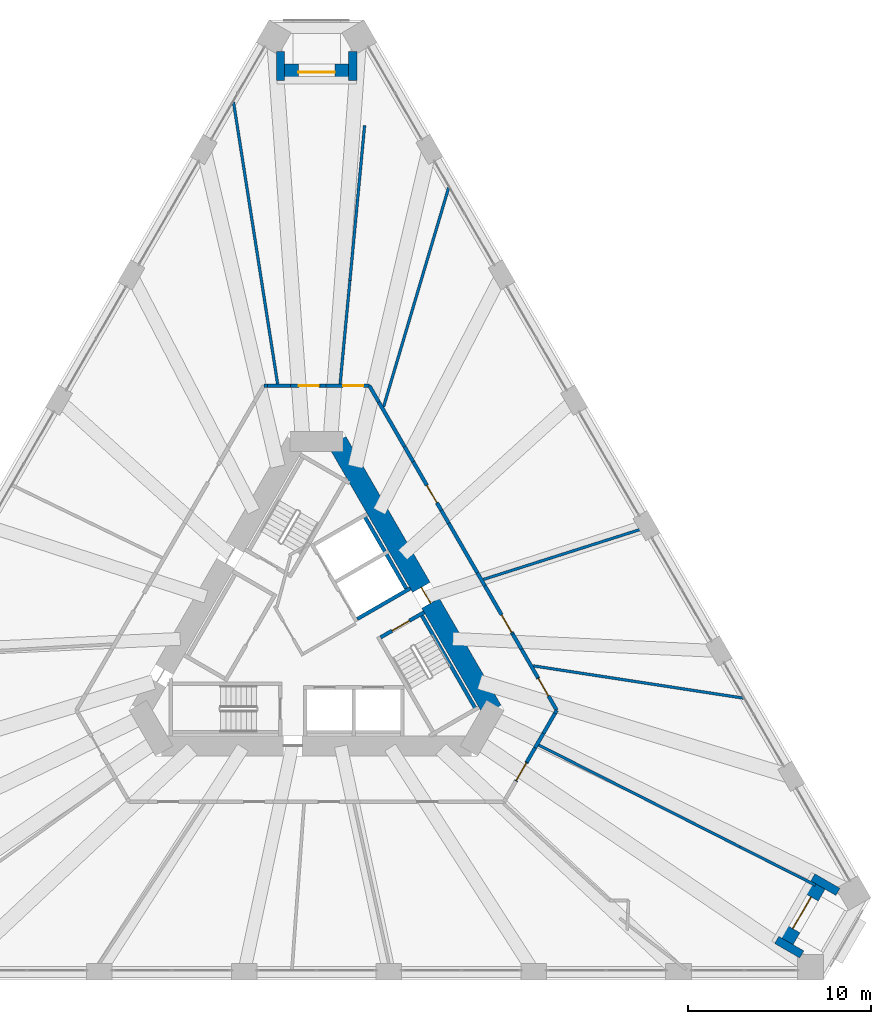
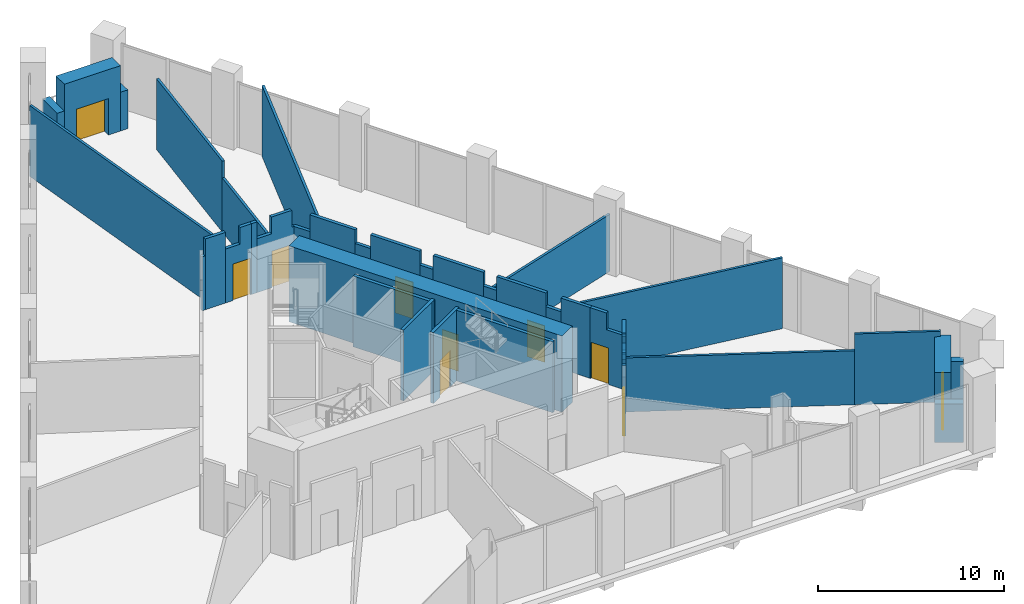
# One storey, part 15 of 20: 40 walls, 10 doors, 10 openings.
"""IFC4 building model written with IfcOpenShell, lengths in metres."""

from ifc_helpers import new_model, si_unit, direction, frame, frame_2d, origin, place, context, subcontext, project, spatial, polyline, rectangle, outline, extrude, material, layer, layer_set, type_object, element, fill, save


model = new_model("IFC4")

# Units and contexts
model_context = context("Model", 3, precision=1e-05, world=origin(), true_north=direction((0.0, 1.0)))
body_context = subcontext(model_context, "Body", "Model", "MODEL_VIEW")
ifc_project = project(units=[si_unit("LENGTHUNIT", "METRE"), si_unit("AREAUNIT", "SQUARE_METRE"), si_unit("VOLUMEUNIT", "CUBIC_METRE"), si_unit("PLANEANGLEUNIT", "RADIAN"), si_unit("MASSUNIT", "GRAM", prefix="KILO")], contexts=[model_context])

# Site, building, storey
site_placement = place(None, origin())
site = spatial("IfcSite", under=ifc_project, at=site_placement, CompositionType="ELEMENT")
building_placement = place(site_placement, origin())
building = spatial("IfcBuilding", under=site, at=building_placement, Name="Tramontana Tower", CompositionType="ELEMENT")
storey_placement = place(building_placement, frame((0.0, 0.0, 20.0)))
storey = spatial("IfcBuildingStorey", under=building, at=storey_placement, Name="L03", CompositionType="ELEMENT", Elevation=20.0)

# Wall, opening, door
ifc_material_1 = material(Name="Concrete 70 MPa", Category="concrete")
ifc_layer_1 = layer(ifc_material_1, 1.10009765625)
ifc_layer_set_1 = layer_set([ifc_layer_1], Name="Core wall 1100 70 MPa")
wall_type_1 = type_object("IfcWallType", Name="Core wall 1100 70 MPa", PredefinedType="SHEAR", material=ifc_layer_set_1)
wall_1_placement = place(storey_placement, frame((9.61279296875, -4.25, 0.0), z_axis=(0.0, 0.0, 1.0), x_axis=(-0.500001757713, 0.866024388966, 0.0)))
wall_1 = element("IfcWall", 1, at=wall_1_placement, inside=storey, type_object=wall_type_1, Name="Core wall C5 L03", PredefinedType="SHEAR", context=body_context, shape_type="SweptSolid", body=[
    extrude(rectangle(XDim=16.97412109375, YDim=1.10009765625, at=frame_2d((8.487060546875, 0.0))), origin(), (0.0, 0.0, 1.0), 5.0),
])
opening_1_placement = place(wall_1_placement, frame((6.761962890625, 0.0, 0.0)))
opening_1 = element("IfcOpeningElement", 2, at=opening_1_placement, cuts=wall_1, Name="Opening RG3", PredefinedType="OPENING", context=body_context, shape_type="SweptSolid", body=[
    extrude(rectangle(XDim=1.0, YDim=2.39990234375, at=frame_2d((0.5, 1.199951171875))), frame((0.0, 0.56005859375, 0.0), z_axis=(0.0, -1.0, 0.0), x_axis=(1.0, 0.0, 0.0)), (0.0, 0.0, 1.0), 1.1201171875),
])
ifc_material_2 = material(Name="Painted steel", Category="steel")
door_type_1 = type_object("IfcDoorType", Name="RING DOOR 1000", OperationType="SINGLE_SWING_LEFT", PredefinedType="DOOR", material=ifc_material_2)
door_1_placement = place(opening_1_placement, origin())
door_1 = element("IfcDoor", 3, at=door_1_placement, inside=storey, type_object=door_type_1, Name="Door RG3", OperationType="SINGLE_SWING_LEFT", OverallHeight=2.39990234375, OverallWidth=1.0, PredefinedType="DOOR", context=body_context, shape_type="SweptSolid", body=[
    extrude(rectangle(XDim=1.0, YDim=2.39990234375, at=frame_2d((0.5, 1.199951171875))), frame((0.0, 0.02490234375, 0.0), z_axis=(0.0, -1.0, 0.0), x_axis=(1.0, 0.0, 0.0)), (0.0, 0.0, 1.0), 0.050048828125),
])
fill(opening_1, door_1)

# Walls
ifc_material_3 = material(Name="Blockwork", Category="masonry")
ifc_layer_2 = layer(ifc_material_3, 0.199951171875)
ifc_layer_set_2 = layer_set([ifc_layer_2], Name="ENTRY WALL 200")
wall_type_2 = type_object("IfcWallType", Name="ENTRY WALL 200", PredefinedType="SOLIDWALL", material=ifc_layer_set_2)
wall_2_placement = place(storey_placement, frame((2.88671875, 13.5, 0.0), z_axis=(0.0, 0.0, 1.0), x_axis=(0.499994660107, -0.866028486751, 0.0)))
element("IfcWall", 4, at=wall_2_placement, inside=storey, type_object=wall_type_2, Name="Wall ew0-0", PredefinedType="SOLIDWALL", context=body_context, shape_type="SweptSolid", body=[
    extrude(rectangle(XDim=1.03515625, YDim=0.199951171875, at=frame_2d((0.517578125, 0.0))), origin(), (0.0, 0.0, 1.0), 3.550048828125),
])
wall_3_placement = place(storey_placement, frame((3.404296875, 12.603515625, 0.0), z_axis=(0.0, 0.0, 1.0), x_axis=(0.500000186108, -0.866025296335, 0.0)))
element("IfcWall", 5, at=wall_3_placement, inside=storey, type_object=wall_type_2, Name="Wall ew0-1", PredefinedType="SOLIDWALL", context=body_context, shape_type="SweptSolid", body=[
    extrude(rectangle(XDim=2.8154296875, YDim=0.199951171875, at=frame_2d((1.40771484375, 0.0))), origin(), (0.0, 0.0, 1.0), 4.64990234375),
])
wall_4_placement = place(storey_placement, frame((4.81201171875, 10.165283203125, 0.0), z_axis=(0.0, 0.0, 1.0), x_axis=(0.500174821557, -0.865924446982, 0.0)))
element("IfcWall", 6, at=wall_4_placement, inside=storey, type_object=wall_type_2, Name="Wall ew0-2", PredefinedType="SOLIDWALL", context=body_context, shape_type="SweptSolid", body=[
    extrude(rectangle(XDim=0.949951171875, YDim=0.199951171875, at=frame_2d((0.47509765625, 0.0))), origin(), (0.0, 0.0, 1.0), 3.75),
])

# Wall, opening, door
wall_5_placement = place(storey_placement, frame((5.287109375, 9.3427734375, 0.0), z_axis=(0.0, 0.0, 1.0), x_axis=(0.499952348839, -0.866052913447, 0.0)))
wall_5 = element("IfcWall", 7, at=wall_5_placement, inside=storey, type_object=wall_type_2, Name="Wall ew0-3", PredefinedType="SOLIDWALL", context=body_context, shape_type="SweptSolid", body=[
    extrude(rectangle(XDim=3.064208984375, YDim=0.199951171875, at=frame_2d((1.5322265625, 0.0))), origin(), (0.0, 0.0, 1.0), 4.64990234375),
])
opening_2_placement = place(wall_5_placement, frame((1.48876953125, 0.0, 0.0)))
opening_2 = element("IfcOpeningElement", 8, at=opening_2_placement, cuts=wall_5, Name="Opening L03-12", PredefinedType="OPENING", context=body_context, shape_type="SweptSolid", body=[
    extrude(rectangle(XDim=1.10009765625, YDim=2.39990234375, at=frame_2d((0.550048828125, 1.199951171875))), frame((0.0, 0.10986328125, 0.0), z_axis=(0.0, -1.0, 0.0), x_axis=(1.0, 0.0, 0.0)), (0.0, 0.0, 1.0), 0.219970703125),
])
ifc_material_4 = material(Name="Painted timber", Category="wood")
door_type_2 = type_object("IfcDoorType", Name="DOOR ENTRY 1100", OperationType="SINGLE_SWING_LEFT", PredefinedType="DOOR", material=ifc_material_4)
door_2_placement = place(opening_2_placement, origin())
door_2 = element("IfcDoor", 9, at=door_2_placement, inside=storey, type_object=door_type_2, Name="Door L03-12", OperationType="SINGLE_SWING_RIGHT", OverallHeight=2.39990234375, OverallWidth=1.10009765625, PredefinedType="DOOR", context=body_context, shape_type="SweptSolid", body=[
    extrude(rectangle(XDim=1.10009765625, YDim=2.39990234375, at=frame_2d((0.550048828125, 1.199951171875))), frame((0.0, 0.02490234375, 0.0), z_axis=(0.0, -1.0, 0.0), x_axis=(1.0, 0.0, 0.0)), (0.0, 0.0, 1.0), 0.050048828125),
])
fill(opening_2, door_2)

# Walls
wall_6_placement = place(storey_placement, frame((6.819091796875, 6.68896484375, 0.0), z_axis=(0.0, 0.0, 1.0), x_axis=(0.500118501653, -0.865956976012, 0.0)))
element("IfcWall", 10, at=wall_6_placement, inside=storey, type_object=wall_type_2, Name="Wall ew0-4", PredefinedType="SOLIDWALL", context=body_context, shape_type="SweptSolid", body=[
    extrude(rectangle(XDim=0.818115234375, YDim=0.199951171875, at=frame_2d((0.4091796875, 0.0))), origin(), (0.0, 0.0, 1.0), 3.75),
])
wall_7_placement = place(storey_placement, frame((7.228271484375, 5.98046875, 0.0), z_axis=(0.0, 0.0, 1.0), x_axis=(0.499947505232, -0.866055709532, 0.0)))
element("IfcWall", 11, at=wall_7_placement, inside=storey, type_object=wall_type_2, Name="Wall ew0-5", PredefinedType="SOLIDWALL", context=body_context, shape_type="SweptSolid", body=[
    extrude(rectangle(XDim=3.130126953125, YDim=0.199951171875, at=frame_2d((1.56494140625, 0.0))), origin(), (0.0, 0.0, 1.0), 4.64990234375),
])
wall_8_placement = place(storey_placement, frame((8.793212890625, 3.26953125, 0.0), z_axis=(0.0, 0.0, 1.0), x_axis=(0.500118501653, -0.865956976012, 0.0)))
element("IfcWall", 12, at=wall_8_placement, inside=storey, type_object=wall_type_2, Name="Wall ew0-6", PredefinedType="SOLIDWALL", context=body_context, shape_type="SweptSolid", body=[
    extrude(rectangle(XDim=0.818115234375, YDim=0.199951171875, at=frame_2d((0.4091796875, 0.0))), origin(), (0.0, 0.0, 1.0), 3.75),
])

# Wall, opening, door
wall_9_placement = place(storey_placement, frame((9.202392578125, 2.56103515625, 0.0), z_axis=(0.0, 0.0, 1.0), x_axis=(0.499952348839, -0.866052913447, 0.0)))
wall_9 = element("IfcWall", 13, at=wall_9_placement, inside=storey, type_object=wall_type_2, Name="Wall ew0-7", PredefinedType="SOLIDWALL", context=body_context, shape_type="SweptSolid", body=[
    extrude(rectangle(XDim=3.064208984375, YDim=0.199951171875, at=frame_2d((1.5322265625, 0.0))), origin(), (0.0, 0.0, 1.0), 4.64990234375),
])
opening_3_placement = place(wall_9_placement, frame((1.838623046875, 0.0, 0.0)))
opening_3 = element("IfcOpeningElement", 14, at=opening_3_placement, cuts=wall_9, Name="Opening L03-11", PredefinedType="OPENING", context=body_context, shape_type="SweptSolid", body=[
    extrude(rectangle(XDim=1.10009765625, YDim=2.39990234375, at=frame_2d((0.550048828125, 1.199951171875))), frame((0.0, 0.10986328125, 0.0), z_axis=(0.0, -1.0, 0.0), x_axis=(1.0, 0.0, 0.0)), (0.0, 0.0, 1.0), 0.219970703125),
])
door_3_placement = place(opening_3_placement, origin())
door_3 = element("IfcDoor", 15, at=door_3_placement, inside=storey, type_object=door_type_2, Name="Door L03-11", OperationType="SINGLE_SWING_LEFT", OverallHeight=2.39990234375, OverallWidth=1.10009765625, PredefinedType="DOOR", context=body_context, shape_type="SweptSolid", body=[
    extrude(rectangle(XDim=1.10009765625, YDim=2.39990234375, at=frame_2d((0.550048828125, 1.199951171875))), frame((0.0, 0.02490234375, 0.0), z_axis=(0.0, -1.0, 0.0), x_axis=(1.0, 0.0, 0.0)), (0.0, 0.0, 1.0), 0.050048828125),
])
fill(opening_3, door_3)

# Walls
wall_10_placement = place(storey_placement, frame((10.734375, -0.0927734375, 0.0), z_axis=(0.0, 0.0, 1.0), x_axis=(0.500174821557, -0.865924446982, 0.0)))
element("IfcWall", 16, at=wall_10_placement, inside=storey, type_object=wall_type_2, Name="Wall ew0-8", PredefinedType="SOLIDWALL", context=body_context, shape_type="SweptSolid", body=[
    extrude(rectangle(XDim=0.949951171875, YDim=0.199951171875, at=frame_2d((0.47509765625, 0.0))), origin(), (0.0, 0.0, 1.0), 3.75),
])
wall_11_placement = place(storey_placement, frame((11.20947265625, -0.915283203125, 0.0), z_axis=(0.0, 0.0, 1.0), x_axis=(0.49994221372, -0.866058764138, 0.0)))
element("IfcWall", 17, at=wall_11_placement, inside=storey, type_object=wall_type_2, Name="Wall ew0-9", PredefinedType="SOLIDWALL", context=body_context, shape_type="SweptSolid", body=[
    extrude(rectangle(XDim=1.795166015625, YDim=0.199951171875, at=frame_2d((0.8974609375, 0.0))), origin(), (0.0, 0.0, 1.0), 4.64990234375),
])

# Wall, opening, door
wall_12_placement = place(storey_placement, frame((12.10693359375, -2.469970703125, 0.0), z_axis=(0.0, 0.0, 1.0), x_axis=(0.50004803122, -0.86599767117, 0.0)))
wall_12 = element("IfcWall", 18, at=wall_12_placement, inside=storey, type_object=wall_type_2, Name="Wall ew0-10", PredefinedType="SOLIDWALL", context=body_context, shape_type="SweptSolid", body=[
    extrude(outline(polyline([(0.0, 0.0), (2.055419921875, 0.0), (2.055419921875, 3.550048828125), (1.020263671875, 3.550048828125), (1.020263671875, 4.64990234375), (0.0, 4.64990234375), (0.0, 0.0)])), frame((0.0, 0.10009765625, 0.0), z_axis=(0.0, -1.0, 0.0), x_axis=(1.0, 0.0, 0.0)), (0.0, 0.0, 1.0), 0.199951171875),
])
opening_4_placement = place(wall_12_placement, frame((0.050048828125, 0.0, 0.0)))
opening_4 = element("IfcOpeningElement", 19, at=opening_4_placement, cuts=wall_12, Name="Opening L03-10", PredefinedType="OPENING", context=body_context, shape_type="SweptSolid", body=[
    extrude(rectangle(XDim=1.10009765625, YDim=2.39990234375, at=frame_2d((0.550048828125, 1.199951171875))), frame((0.0, 0.10986328125, 0.0), z_axis=(0.0, -1.0, 0.0), x_axis=(1.0, 0.0, 0.0)), (0.0, 0.0, 1.0), 0.219970703125),
])
door_4_placement = place(opening_4_placement, origin())
door_4 = element("IfcDoor", 20, at=door_4_placement, inside=storey, type_object=door_type_2, Name="Door L03-10", OperationType="SINGLE_SWING_RIGHT", OverallHeight=2.39990234375, OverallWidth=1.10009765625, PredefinedType="DOOR", context=body_context, shape_type="SweptSolid", body=[
    extrude(rectangle(XDim=1.10009765625, YDim=2.39990234375, at=frame_2d((0.550048828125, 1.199951171875))), frame((0.0, 0.02490234375, 0.0), z_axis=(0.0, -1.0, 0.0), x_axis=(1.0, 0.0, 0.0)), (0.0, 0.0, 1.0), 0.050048828125),
])
fill(opening_4, door_4)

# Walls
wall_13_placement = place(storey_placement, frame((13.134765625, -4.25, 0.0), z_axis=(0.0, 0.0, 1.0), x_axis=(-0.499865263774, -0.866103179807, 0.0)))
element("IfcWall", 21, at=wall_13_placement, inside=storey, type_object=wall_type_2, Name="Wall ew1-0", PredefinedType="SOLIDWALL", context=body_context, shape_type="SweptSolid", body=[
    extrude(rectangle(XDim=0.197265625, YDim=0.199951171875, at=frame_2d((0.0986328125, 0.0))), origin(), (0.0, 0.0, 1.0), 3.550048828125),
])
wall_14_placement = place(storey_placement, frame((13.0361328125, -4.4208984375, 0.0), z_axis=(0.0, 0.0, 1.0), x_axis=(-0.500056058743, -0.865993035835, 0.0)))
element("IfcWall", 22, at=wall_14_placement, inside=storey, type_object=wall_type_2, Name="Wall ew1-1", PredefinedType="SOLIDWALL", context=body_context, shape_type="SweptSolid", body=[
    extrude(rectangle(XDim=1.266845703125, YDim=0.199951171875, at=frame_2d((0.63330078125, 0.0))), origin(), (0.0, 0.0, 1.0), 4.64990234375),
])
wall_15_placement = place(storey_placement, frame((12.402587890625, -5.51806640625, 0.0), z_axis=(0.0, 0.0, 1.0), x_axis=(-0.500097243556, -0.865969252911, 0.0)))
element("IfcWall", 23, at=wall_15_placement, inside=storey, type_object=wall_type_2, Name="Wall ew1-2", PredefinedType="SOLIDWALL", context=body_context, shape_type="SweptSolid", body=[
    extrude(rectangle(XDim=0.902099609375, YDim=0.199951171875, at=frame_2d((0.451171875, 0.0))), origin(), (0.0, 0.0, 1.0), 3.550048828125),
])
wall_16_placement = place(storey_placement, frame((11.951416015625, -6.29931640625, 0.0), z_axis=(0.0, 0.0, 1.0), x_axis=(-0.499923988433, -0.866069284636, 0.0)))
element("IfcWall", 24, at=wall_16_placement, inside=storey, type_object=wall_type_2, Name="Wall ew1-3", PredefinedType="SOLIDWALL", context=body_context, shape_type="SweptSolid", body=[
    extrude(rectangle(XDim=0.908935546875, YDim=0.199951171875, at=frame_2d((0.45458984375, 0.0))), origin(), (0.0, 0.0, 1.0), 4.64990234375),
])

# Wall, opening, door
wall_17_placement = place(storey_placement, frame((11.4970703125, -7.08642578125, 0.0), z_axis=(0.0, 0.0, 1.0), x_axis=(-0.499969057507, -0.866043267704, 0.0)))
wall_17 = element("IfcWall", 25, at=wall_17_placement, inside=storey, type_object=wall_type_2, Name="Wall ew1-4", PredefinedType="SOLIDWALL", context=body_context, shape_type="SweptSolid", body=[
    extrude(outline(polyline([(0.0, 0.0), (1.19970703125, 0.0), (1.199951171875, 4.64990234375), (1.0341796875, 4.64990234375), (1.0341796875, 3.550048828125), (0.1318359375, 3.550048828125), (0.1318359375, 4.64990234375), (0.0, 4.64990234375), (0.0, 0.0)])), frame((0.0, 0.10009765625, 0.0), z_axis=(0.0, -1.0, 0.0), x_axis=(1.0, 0.0, 0.0)), (0.0, 0.0, 1.0), 0.199951171875),
])
opening_5_placement = place(wall_17_placement, frame((0.050048828125, 0.0, 0.0)))
opening_5 = element("IfcOpeningElement", 26, at=opening_5_placement, cuts=wall_17, Name="Opening L03-09", PredefinedType="OPENING", context=body_context, shape_type="SweptSolid", body=[
    extrude(rectangle(XDim=1.10009765625, YDim=2.39990234375, at=frame_2d((0.550048828125, 1.199951171875))), frame((0.0, 0.10986328125, 0.0), z_axis=(0.0, -1.0, 0.0), x_axis=(1.0, 0.0, 0.0)), (0.0, 0.0, 1.0), 0.219970703125),
])
door_5_placement = place(opening_5_placement, origin())
door_5 = element("IfcDoor", 27, at=door_5_placement, inside=storey, type_object=door_type_2, Name="Door L03-09", OperationType="SINGLE_SWING_LEFT", OverallHeight=2.39990234375, OverallWidth=1.10009765625, PredefinedType="DOOR", context=body_context, shape_type="SweptSolid", body=[
    extrude(rectangle(XDim=1.10009765625, YDim=2.39990234375, at=frame_2d((0.550048828125, 1.199951171875))), frame((0.0, 0.02490234375, 0.0), z_axis=(0.0, -1.0, 0.0), x_axis=(1.0, 0.0, 0.0)), (0.0, 0.0, 1.0), 0.050048828125),
])
fill(opening_5, door_5)

# Walls
wall_18_placement = place(storey_placement, frame((-2.88671875, 13.5, 0.0), z_axis=(0.0, 0.0, 1.0), x_axis=(1.0, 0.0, 0.0)))
element("IfcWall", 28, at=wall_18_placement, inside=storey, type_object=wall_type_2, Name="Wall ew5-0", PredefinedType="SOLIDWALL", context=body_context, shape_type="SweptSolid", body=[
    extrude(rectangle(XDim=0.197265625, YDim=0.199951171875, at=frame_2d((0.0986328125, 0.0))), origin(), (0.0, 0.0, 1.0), 3.550048828125),
])
wall_19_placement = place(storey_placement, frame((-2.689453125, 13.5, 0.0), z_axis=(0.0, 0.0, 1.0), x_axis=(1.0, 0.0, 0.0)))
element("IfcWall", 29, at=wall_19_placement, inside=storey, type_object=wall_type_2, Name="Wall ew5-1", PredefinedType="SOLIDWALL", context=body_context, shape_type="SweptSolid", body=[
    extrude(rectangle(XDim=1.266845703125, YDim=0.199951171875, at=frame_2d((0.63330078125, 0.0))), origin(), (0.0, 0.0, 1.0), 4.64990234375),
])

# Wall, opening, door
wall_20_placement = place(storey_placement, frame((-1.422607421875, 13.5, 0.0), z_axis=(0.0, 0.0, 1.0), x_axis=(1.0, 0.0, 0.0)))
wall_20 = element("IfcWall", 30, at=wall_20_placement, inside=storey, type_object=wall_type_2, Name="Wall ew5-2", PredefinedType="SOLIDWALL", context=body_context, shape_type="SweptSolid", body=[
    extrude(outline(polyline([(0.0, 0.0), (1.602294921875, 0.0), (1.602294921875, 4.64990234375), (0.90234375, 4.64990234375), (0.90234375, 3.550048828125), (0.0, 3.550048828125), (0.0, 0.0)])), frame((0.0, 0.10009765625, 0.0), z_axis=(0.0, -1.0, 0.0), x_axis=(1.0, 0.0, 0.0)), (0.0, 0.0, 1.0), 0.199951171875),
])
opening_6_placement = place(wall_20_placement, frame((0.452392578125, 0.0, 0.0)))
opening_6 = element("IfcOpeningElement", 31, at=opening_6_placement, cuts=wall_20, Name="Opening L03-01", PredefinedType="OPENING", context=body_context, shape_type="SweptSolid", body=[
    extrude(rectangle(XDim=1.10009765625, YDim=2.39990234375, at=frame_2d((0.550048828125, 1.199951171875))), frame((0.0, 0.10986328125, 0.0), z_axis=(0.0, -1.0, 0.0), x_axis=(1.0, 0.0, 0.0)), (0.0, 0.0, 1.0), 0.219970703125),
])
door_6_placement = place(opening_6_placement, origin())
door_6 = element("IfcDoor", 32, at=door_6_placement, inside=storey, type_object=door_type_2, Name="Door L03-01", OperationType="SINGLE_SWING_LEFT", OverallHeight=2.39990234375, OverallWidth=1.10009765625, PredefinedType="DOOR", context=body_context, shape_type="SweptSolid", body=[
    extrude(rectangle(XDim=1.10009765625, YDim=2.39990234375, at=frame_2d((0.550048828125, 1.199951171875))), frame((0.0, 0.02490234375, 0.0), z_axis=(0.0, -1.0, 0.0), x_axis=(1.0, 0.0, 0.0)), (0.0, 0.0, 1.0), 0.050048828125),
])
fill(opening_6, door_6)

# Wall
wall_21_placement = place(storey_placement, frame((0.1796875, 13.5, 0.0), z_axis=(0.0, 0.0, 1.0), x_axis=(1.0, 0.0, 0.0)))
element("IfcWall", 33, at=wall_21_placement, inside=storey, type_object=wall_type_2, Name="Wall ew5-3", PredefinedType="SOLIDWALL", context=body_context, shape_type="SweptSolid", body=[
    extrude(rectangle(XDim=0.340576171875, YDim=0.199951171875, at=frame_2d((0.17041015625, 0.0))), origin(), (0.0, 0.0, 1.0), 4.64990234375),
])

# Wall, opening, door
wall_22_placement = place(storey_placement, frame((0.520263671875, 13.5, 0.0), z_axis=(0.0, 0.0, 1.0), x_axis=(1.0, 0.0, 0.0)))
wall_22 = element("IfcWall", 34, at=wall_22_placement, inside=storey, type_object=wall_type_2, Name="Wall ew5-4", PredefinedType="SOLIDWALL", context=body_context, shape_type="SweptSolid", body=[
    extrude(outline(polyline([(0.0, 0.0), (2.366455078125, 0.0), (2.366455078125, 3.550048828125), (2.169189453125, 3.550048828125), (2.169189453125, 4.64990234375), (0.90234375, 4.64990234375), (0.90234375, 3.550048828125), (0.0, 3.550048828125), (0.0, 0.0)])), frame((0.0, 0.10009765625, 0.0), z_axis=(0.0, -1.0, 0.0), x_axis=(1.0, 0.0, 0.0)), (0.0, 0.0, 1.0), 0.199951171875),
])
opening_7_placement = place(wall_22_placement, frame((0.936279296875, 0.0, 0.0)))
opening_7 = element("IfcOpeningElement", 35, at=opening_7_placement, cuts=wall_22, Name="Opening L03-13", PredefinedType="OPENING", context=body_context, shape_type="SweptSolid", body=[
    extrude(rectangle(XDim=1.10009765625, YDim=2.39990234375, at=frame_2d((0.550048828125, 1.199951171875))), frame((0.0, 0.10986328125, 0.0), z_axis=(0.0, -1.0, 0.0), x_axis=(1.0, 0.0, 0.0)), (0.0, 0.0, 1.0), 0.219970703125),
])
door_7_placement = place(opening_7_placement, origin())
door_7 = element("IfcDoor", 36, at=door_7_placement, inside=storey, type_object=door_type_2, Name="Door L03-13", OperationType="SINGLE_SWING_LEFT", OverallHeight=2.39990234375, OverallWidth=1.10009765625, PredefinedType="DOOR", context=body_context, shape_type="SweptSolid", body=[
    extrude(rectangle(XDim=1.10009765625, YDim=2.39990234375, at=frame_2d((0.550048828125, 1.199951171875))), frame((0.0, 0.02490234375, 0.0), z_axis=(0.0, -1.0, 0.0), x_axis=(1.0, 0.0, 0.0)), (0.0, 0.0, 1.0), 0.050048828125),
])
fill(opening_7, door_7)

# Walls
ifc_material_5 = material(Name="Precast concrete 60 MPa", Category="concrete")
ifc_layer_3 = layer(ifc_material_5, 0.449951171875)
ifc_layer_set_3 = layer_set([ifc_layer_3], Name="Precast concrete 60 MPa, 450 mm")
wall_type_3 = type_object("IfcWallType", Name="EW1 Stone-faced precast wall 450", PredefinedType="SOLIDWALL", material=ifc_layer_set_3)
for number, where, z_axis, x_axis, name in (
    (37, (-1.97509765625, 31.779296875, 0.0), (0.0, 0.0, 1.0), (0.0, -1.0, 0.0), "Corner loggia side wall L03 K00l"),
    (38, (1.97509765625, 31.779296875, 0.0), (0.0, 0.0, 1.0), (0.0, -1.0, 0.0), "Corner loggia side wall L03 K00r"),
):
    element("IfcWall", number, at=place(storey_placement, frame(where, z_axis=z_axis, x_axis=x_axis)), inside=storey, type_object=wall_type_3, Name=name, PredefinedType="SOLIDWALL", context=body_context, shape_type="SweptSolid", body=[
        extrude(rectangle(XDim=1.579345703125, YDim=0.449951171875, at=frame_2d((0.78955078125, 0.0))), origin(), (0.0, 0.0, 1.0), 2.550048828125),
    ])
wall_23_placement = place(storey_placement, frame((28.509033203125, -14.17919921875, 0.0), z_axis=(0.0, 0.0, 1.0), x_axis=(-0.866046570609, 0.499963336192, 0.0)))
element("IfcWall", 39, at=wall_23_placement, inside=storey, type_object=wall_type_3, Name="Corner loggia side wall L03 K02l", PredefinedType="SOLIDWALL", context=body_context, shape_type="SweptSolid", body=[
    extrude(rectangle(XDim=1.5791015625, YDim=0.449951171875, at=frame_2d((0.78955078125, 0.0))), origin(), (0.0, 0.0, 1.0), 2.550048828125),
])
wall_24_placement = place(storey_placement, frame((26.5341796875, -17.60009765625, 0.0), z_axis=(0.0, 0.0, 1.0), x_axis=(-0.86597962928, 0.500079275387, 0.0)))
element("IfcWall", 40, at=wall_24_placement, inside=storey, type_object=wall_type_3, Name="Corner loggia side wall L03 K02r", PredefinedType="SOLIDWALL", context=body_context, shape_type="SweptSolid", body=[
    extrude(rectangle(XDim=1.579345703125, YDim=0.449951171875, at=frame_2d((0.78955078125, 0.0))), origin(), (0.0, 0.0, 1.0), 2.550048828125),
])

# Wall, opening, door
ifc_material_6 = material(Name="Precast concrete 60 MPa", Category="concrete")
ifc_layer_4 = layer(ifc_material_6, 0.89990234375)
ifc_layer_set_4 = layer_set([ifc_layer_4], Name="EW2 Stone-faced corner loggia wall 900")
wall_type_4 = type_object("IfcWallType", Name="EW2 Stone-faced corner loggia wall 900", PredefinedType="SOLIDWALL", material=ifc_layer_set_4)
wall_25_placement = place(storey_placement, frame((-1.75, 30.64990234375, 0.0), z_axis=(0.0, 0.0, 1.0), x_axis=(1.0, 0.0, 0.0)))
wall_25 = element("IfcWall", 41, at=wall_25_placement, inside=storey, type_object=wall_type_4, Name="Corner loggia wall L03 K00", PredefinedType="SOLIDWALL", context=body_context, shape_type="SweptSolid", body=[
    extrude(rectangle(XDim=3.5, YDim=0.89990234375, at=frame_2d((1.75, 0.0))), origin(), (0.0, 0.0, 1.0), 4.300048828125),
])
opening_8_placement = place(wall_25_placement, frame((0.75, 0.0, 0.0)))
opening_8 = element("IfcOpeningElement", 42, at=opening_8_placement, cuts=wall_25, Name="Opening BD-00C", PredefinedType="OPENING", context=body_context, shape_type="SweptSolid", body=[
    extrude(rectangle(XDim=2.0, YDim=2.39990234375, at=frame_2d((1.0, 1.199951171875))), frame((0.0, 0.4599609375, 0.0), z_axis=(0.0, -1.0, 0.0), x_axis=(1.0, 0.0, 0.0)), (0.0, 0.0, 1.0), 0.919921875),
])
ifc_material_7 = material(Name="Aluminum frame, double glazing unit", Category="aluminium")
door_type_3 = type_object("IfcDoorType", Name="BC1 Sliding door 2 x 2.4", OperationType="SLIDING_TO_LEFT", PredefinedType="DOOR", material=ifc_material_7)
door_8_placement = place(opening_8_placement, origin())
door_8 = element("IfcDoor", 43, at=door_8_placement, inside=storey, type_object=door_type_3, Name="Corner loggia door L03 K00", OperationType="SLIDING_TO_LEFT", OverallHeight=2.39990234375, OverallWidth=2.0, PredefinedType="DOOR", context=body_context, shape_type="SweptSolid", body=[
    extrude(rectangle(XDim=2.0, YDim=2.39990234375, at=frame_2d((1.0, 1.199951171875))), frame((0.0, 0.02490234375, 0.0), z_axis=(0.0, -1.0, 0.0), x_axis=(1.0, 0.0, 0.0)), (0.0, 0.0, 1.0), 0.050048828125),
])
fill(opening_8, door_8)

wall_26_placement = place(storey_placement, frame((27.418701171875, -13.8095703125, 0.0), z_axis=(0.0, 0.0, 1.0), x_axis=(-0.500010275428, -0.866019471182, 0.0)))
wall_26 = element("IfcWall", 44, at=wall_26_placement, inside=storey, type_object=wall_type_4, Name="Corner loggia wall L03 K02", PredefinedType="SOLIDWALL", context=body_context, shape_type="SweptSolid", body=[
    extrude(rectangle(XDim=3.5, YDim=0.89990234375, at=frame_2d((1.75, 0.0))), origin(), (0.0, 0.0, 1.0), 4.300048828125),
])
opening_9_placement = place(wall_26_placement, frame((0.75, 0.0, 0.0)))
opening_9 = element("IfcOpeningElement", 45, at=opening_9_placement, cuts=wall_26, Name="Opening BD-02C", PredefinedType="OPENING", context=body_context, shape_type="SweptSolid", body=[
    extrude(rectangle(XDim=2.0, YDim=2.39990234375, at=frame_2d((1.0, 1.199951171875))), frame((0.0, 0.4599609375, 0.0), z_axis=(0.0, -1.0, 0.0), x_axis=(1.0, 0.0, 0.0)), (0.0, 0.0, 1.0), 0.919921875),
])
door_9_placement = place(opening_9_placement, origin())
door_9 = element("IfcDoor", 46, at=door_9_placement, inside=storey, type_object=door_type_3, Name="Corner loggia door L03 K02", OperationType="SLIDING_TO_LEFT", OverallHeight=2.39990234375, OverallWidth=2.0, PredefinedType="DOOR", context=body_context, shape_type="SweptSolid", body=[
    extrude(rectangle(XDim=2.0, YDim=2.39990234375, at=frame_2d((1.0, 1.199951171875))), frame((0.0, 0.02490234375, 0.0), z_axis=(0.0, -1.0, 0.0), x_axis=(1.0, 0.0, 0.0)), (0.0, 0.0, 1.0), 0.050048828125),
])
fill(opening_9, door_9)

# Walls
ifc_material_8 = material(Name="Gypsum board partition")
ifc_layer_5 = layer(ifc_material_8, 0.14990234375)
ifc_layer_set_5 = layer_set([ifc_layer_5], Name="PARTITION 150")
wall_type_5 = type_object("IfcWallType", Name="PARTITION 150", PredefinedType="PARTITIONING", material=ifc_layer_set_5)
wall_27_placement = place(storey_placement, frame((-2.12890625, 13.60009765625, 0.0), z_axis=(0.0, 0.0, 1.0), x_axis=(-0.154659289673, 0.987967865934, 0.0)))
element("IfcWall", 47, at=wall_27_placement, inside=storey, type_object=wall_type_5, Name="Wall fw-pw04", PredefinedType="PARTITIONING", context=body_context, shape_type="SweptSolid", body=[
    extrude(rectangle(XDim=15.585205078125, YDim=0.14990234375, at=frame_2d((7.79248046875, 0.0))), origin(), (0.0, 0.0, 1.0), 4.64990234375),
])
wall_28_placement = place(storey_placement, frame((2.627685546875, 27.73681640625, 0.0), z_axis=(0.0, 0.0, 1.0), x_axis=(-0.094320531398, -0.995541881267, 0.0)))
element("IfcWall", 48, at=wall_28_placement, inside=storey, type_object=wall_type_5, Name="Wall fw-pw07-0", PredefinedType="PARTITIONING", context=body_context, shape_type="SweptSolid", body=[
    extrude(rectangle(XDim=8.51318359375, YDim=0.14990234375, at=frame_2d((4.256591796875, 0.0))), origin(), (0.0, 0.0, 1.0), 4.64990234375),
])
wall_29_placement = place(storey_placement, frame((1.82470703125, 19.261474609375, 0.0), z_axis=(0.0, 0.0, 1.0), x_axis=(-0.094320818209, -0.995541854094, 0.0)))
element("IfcWall", 49, at=wall_29_placement, inside=storey, type_object=wall_type_5, Name="Wall fw-pw07-1", PredefinedType="PARTITIONING", context=body_context, shape_type="SweptSolid", body=[
    extrude(rectangle(XDim=5.686767578125, YDim=0.14990234375, at=frame_2d((2.84326171875, 0.0))), origin(), (0.0, 0.0, 1.0), 3.550048828125),
])
wall_30_placement = place(storey_placement, frame((3.666259765625, 12.349853515625, 0.0), z_axis=(0.0, 0.0, 1.0), x_axis=(0.284585958586, 0.958650526613, 0.0)))
element("IfcWall", 50, at=wall_30_placement, inside=storey, type_object=wall_type_5, Name="Wall fw-pw08", PredefinedType="PARTITIONING", context=body_context, shape_type="SweptSolid", body=[
    extrude(rectangle(XDim=12.510498046875, YDim=0.14990234375, at=frame_2d((6.25537109375, 0.0))), origin(), (0.0, 0.0, 1.0), 4.64990234375),
])
wall_31_placement = place(storey_placement, frame((9.119873046875, 2.90380859375, 0.0), z_axis=(0.0, 0.0, 1.0), x_axis=(0.952860213553, 0.303409646233, 0.0)))
element("IfcWall", 51, at=wall_31_placement, inside=storey, type_object=wall_type_5, Name="Wall fw-pw09-0", PredefinedType="PARTITIONING", context=body_context, shape_type="SweptSolid", body=[
    extrude(rectangle(XDim=9.294677734375, YDim=0.14990234375, at=frame_2d((4.6474609375, 0.0))), origin(), (0.0, 0.0, 1.0), 3.75),
])
wall_32_placement = place(storey_placement, frame((11.8466796875, -1.819091796875, 0.0), z_axis=(0.0, 0.0, 1.0), x_axis=(0.988414820691, -0.151776619539, 0.0)))
element("IfcWall", 52, at=wall_32_placement, inside=storey, type_object=wall_type_5, Name="Wall fw-pw11", PredefinedType="PARTITIONING", context=body_context, shape_type="SweptSolid", body=[
    extrude(rectangle(XDim=11.639404296875, YDim=0.14990234375, at=frame_2d((5.81982421875, 0.0))), origin(), (0.0, 0.0, 1.0), 4.64990234375),
])
wall_33_placement = place(storey_placement, frame((12.152099609375, -6.15185546875, 0.0), z_axis=(0.0, 0.0, 1.0), x_axis=(0.892189195248, -0.451661864542, 0.0)))
element("IfcWall", 53, at=wall_33_placement, inside=storey, type_object=wall_type_5, Name="Wall fw-pw12-0", PredefinedType="PARTITIONING", context=body_context, shape_type="SweptSolid", body=[
    extrude(rectangle(XDim=12.32275390625, YDim=0.14990234375, at=frame_2d((6.161376953125, 0.0))), origin(), (0.0, 0.0, 1.0), 3.550048828125),
])
wall_34_placement = place(storey_placement, frame((23.146240234375, -11.717529296875, 0.0), z_axis=(0.0, 0.0, 1.0), x_axis=(0.892192371096, -0.451655591085, 0.0)))
element("IfcWall", 54, at=wall_34_placement, inside=storey, type_object=wall_type_5, Name="Wall fw-pw12-1", PredefinedType="PARTITIONING", context=body_context, shape_type="SweptSolid", body=[
    extrude(rectangle(XDim=4.633056640625, YDim=0.14990234375, at=frame_2d((2.31640625, 0.0))), origin(), (0.0, 0.0, 1.0), 4.64990234375),
])
ifc_material_9 = material(Name="Concrete 70 MPa", Category="concrete")
ifc_layer_6 = layer(ifc_material_9, 0.199951171875)
ifc_layer_set_6 = layer_set([ifc_layer_6], Name="Concrete 70 MPa, 200 mm")
wall_type_6 = type_object("IfcWallType", Name="RC SHAFT BACK WALL 200", PredefinedType="SOLIDWALL", material=ifc_layer_set_6)
wall_35_placement = place(storey_placement, frame((8.759765625, -4.2724609375, 0.0), z_axis=(0.0, 0.0, 1.0), x_axis=(-0.49998037582, 0.866036733513, 0.0)))
element("IfcWall", 55, at=wall_35_placement, inside=storey, type_object=wall_type_6, Name="Wall st3-back", PredefinedType="SOLIDWALL", context=body_context, shape_type="SweptSolid", body=[
    extrude(rectangle(XDim=6.199951171875, YDim=0.199951171875, at=frame_2d((3.10009765625, 0.0))), origin(), (0.0, 0.0, 1.0), 4.64990234375),
])
wall_36_placement = place(storey_placement, frame((5.0048828125, 2.2314453125, 0.0), z_axis=(0.0, 0.0, 1.0), x_axis=(-0.500002801628, 0.866023786258, 0.0)))
element("IfcWall", 56, at=wall_36_placement, inside=storey, type_object=wall_type_6, Name="Wall row2-back", PredefinedType="SOLIDWALL", context=body_context, shape_type="SweptSolid", body=[
    extrude(rectangle(XDim=4.89990234375, YDim=0.199951171875, at=frame_2d((2.449951171875, 0.0))), origin(), (0.0, 0.0, 1.0), 4.64990234375),
])

# Wall, opening, door
ifc_material_10 = material(Name="Concrete 70 MPa", Category="concrete")
ifc_layer_7 = layer(ifc_material_10, 0.199951171875)
ifc_layer_set_7 = layer_set([ifc_layer_7], Name="Concrete 70 MPa, 200 mm")
wall_type_7 = type_object("IfcWallType", Name="RC STAIR AND SHAFT WALL 200", PredefinedType="SOLIDWALL", material=ifc_layer_set_7)
wall_37_placement = place(storey_placement, frame((3.50146484375, -0.2646484375, 0.0), z_axis=(0.0, 0.0, 1.0), x_axis=(0.866027397988, 0.499996545922, 0.0)))
wall_37 = element("IfcWall", 57, at=wall_37_placement, inside=storey, type_object=wall_type_7, Name="Wall st3-near", PredefinedType="SOLIDWALL", context=body_context, shape_type="SweptSolid", body=[
    extrude(rectangle(XDim=2.75, YDim=0.199951171875, at=frame_2d((1.375, 0.0))), origin(), (0.0, 0.0, 1.0), 4.64990234375),
])
opening_10_placement = place(wall_37_placement, frame((0.72509765625, 0.0, 0.0)))
opening_10 = element("IfcOpeningElement", 58, at=opening_10_placement, cuts=wall_37, Name="Opening SD3", PredefinedType="OPENING", context=body_context, shape_type="SweptSolid", body=[
    extrude(rectangle(XDim=1.10009765625, YDim=2.39990234375, at=frame_2d((0.550048828125, 1.199951171875))), frame((0.0, 0.10986328125, 0.0), z_axis=(0.0, -1.0, 0.0), x_axis=(1.0, 0.0, 0.0)), (0.0, 0.0, 1.0), 0.219970703125),
])
ifc_material_11 = material(Name="Painted steel", Category="steel")
door_type_4 = type_object("IfcDoorType", Name="STAIR DOOR 1100", OperationType="SINGLE_SWING_LEFT", PredefinedType="DOOR", material=ifc_material_11)
door_10_placement = place(opening_10_placement, origin())
door_10 = element("IfcDoor", 59, at=door_10_placement, inside=storey, type_object=door_type_4, Name="Door SD3", OperationType="SINGLE_SWING_RIGHT", OverallHeight=2.39990234375, OverallWidth=1.10009765625, PredefinedType="DOOR", context=body_context, shape_type="SweptSolid", body=[
    extrude(rectangle(XDim=1.10009765625, YDim=2.39990234375, at=frame_2d((0.550048828125, 1.199951171875))), frame((0.0, 0.02490234375, 0.0), z_axis=(0.0, -1.0, 0.0), x_axis=(1.0, 0.0, 0.0)), (0.0, 0.0, 1.0), 0.050048828125),
])
fill(opening_10, door_10)

# Wall
wall_38_placement = place(storey_placement, frame((2.226806640625, 0.742919921875, 0.0), z_axis=(0.0, 0.0, 1.0), x_axis=(0.866014461049, 0.500018952895, 0.0)))
element("IfcWall", 60, at=wall_38_placement, inside=storey, type_object=wall_type_7, Name="Wall row2-side0", PredefinedType="SOLIDWALL", context=body_context, shape_type="SweptSolid", body=[
    extrude(rectangle(XDim=3.349853515625, YDim=0.199951171875, at=frame_2d((1.6748046875, 0.0))), origin(), (0.0, 0.0, 1.0), 4.64990234375),
])

save(model, "model.ifc")
